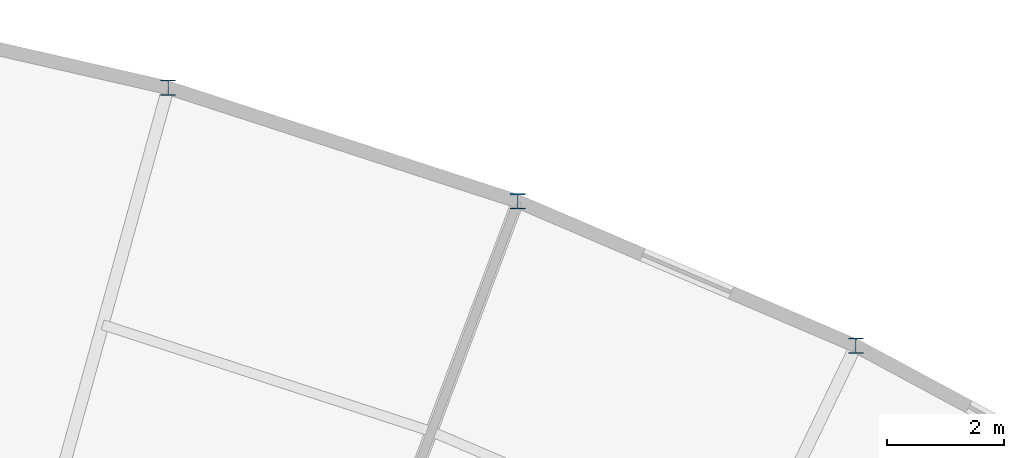
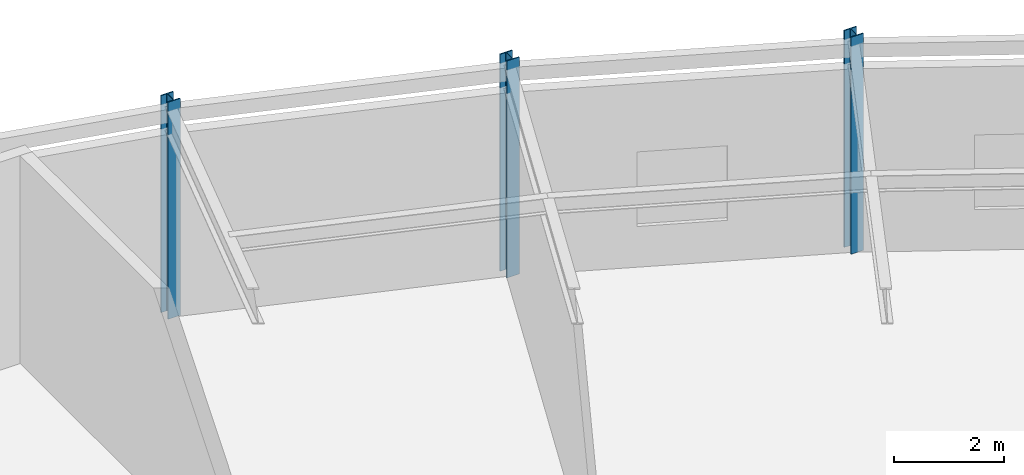
# One storey, part 13 of 105: 3 columns.
"""IFC4 building model written with IfcOpenShell, lengths in metres."""

import ifcopenshell
import ifcopenshell.guid

model = None  # the IFC model being written
_history = None  # IfcOwnerHistory: only IFC2X3 demands one
_inside = {}  # id of a spatial element -> (the spatial element, [elements in it])
_under = {}  # id of a project, library or spatial element -> (it, [spatial elements below it])
_declared = {}  # id of a project -> (the project, [libraries it declares])
_typed = {}  # id of a type object -> (the type object, [elements of that type])
_made_of = {}  # id of a material, layer set ... -> (it, [elements and type objects made of it])


def new_model(schema):
    """Start an empty IFC model of exactly this schema.

    Asked for "IFC4X3", IfcOpenShell would pick the latest addendum, in which some entities
    have other attributes; the version numbers below select the first issue.
    IFC2X3 requires an IfcOwnerHistory on every rooted entity: one is made here for all.
    """
    global model, _history
    if schema == "IFC4X3":
        model = ifcopenshell.file(schema_version=(4, 3, 0, 0))
    else:
        model = ifcopenshell.file(schema=schema)
    _inside.clear()
    _under.clear()
    _declared.clear()
    _typed.clear()
    _made_of.clear()
    _history = None
    if model.schema == "IFC2X3":
        org = make("IfcOrganization", Name="unknown")
        user = make(
            "IfcPersonAndOrganization",
            ThePerson=make("IfcPerson", FamilyName="unknown"),
            TheOrganization=org,
        )
        app = make(
            "IfcApplication",
            ApplicationDeveloper=org,
            Version="unknown",
            ApplicationFullName="unknown",
            ApplicationIdentifier="unknown",
        )
        _history = make(
            "IfcOwnerHistory",
            OwningUser=user,
            OwningApplication=app,
            ChangeAction="ADDED",
            CreationDate=0,
        )
    return model


def make(cls, **values):
    """One entity of the class cls with the attributes given. An attribute that is None is left unset."""
    return model.create_entity(
        cls, **{name: value for name, value in values.items() if value is not None}
    )


def rooted(cls, **values):
    """An entity with a GlobalId (a new one), such as an element, a storey or a relation."""
    return make(cls, GlobalId=ifcopenshell.guid.new(), OwnerHistory=_history, **values)


def si_unit(unit_type, name, prefix=None):
    """IfcSIUnit, for example si_unit("LENGTHUNIT", "METRE", prefix="MILLI")."""
    return make("IfcSIUnit", UnitType=unit_type, Prefix=prefix, Name=name)


def assignment(units):
    """IfcUnitAssignment: the units of a project."""
    return None if units is None else make("IfcUnitAssignment", Units=units)


def point(xyz):
    """IfcCartesianPoint."""
    return None if xyz is None else make("IfcCartesianPoint", Coordinates=xyz)


def direction(xyz):
    """IfcDirection."""
    return None if xyz is None else make("IfcDirection", DirectionRatios=xyz)


def frame(location, z_axis=None, x_axis=None):
    """IfcAxis2Placement3D, a coordinate frame: its origin and axes. An axis left out is left unset."""
    return make(
        "IfcAxis2Placement3D",
        Location=point(location),
        Axis=direction(z_axis),
        RefDirection=direction(x_axis),
    )


def frame_2d(location, x_axis=None):
    """IfcAxis2Placement2D, a coordinate frame in the plane: its origin and x axis."""
    return make(
        "IfcAxis2Placement2D", Location=point(location), RefDirection=direction(x_axis)
    )


def origin():
    """The frame at (0, 0, 0) with its axes left unset."""
    return frame((0.0, 0.0, 0.0))


def origin_2d():
    """The frame at (0, 0) in the plane with its x axis left unset."""
    return frame_2d((0.0, 0.0))


def place(relative_to, where):
    """IfcLocalPlacement: puts the frame where relative to a parent placement (None: the world)."""
    return make(
        "IfcLocalPlacement", PlacementRelTo=relative_to, RelativePlacement=where
    )


def context(
    kind, dimensions, precision=None, world=None, true_north=None, identifier=None
):
    """IfcGeometricRepresentationContext, for example the 3D "Model" context."""
    return make(
        "IfcGeometricRepresentationContext",
        ContextIdentifier=identifier,
        ContextType=kind,
        CoordinateSpaceDimension=dimensions,
        Precision=precision,
        WorldCoordinateSystem=world,
        TrueNorth=true_north,
    )


def subcontext(parent, identifier, kind, view, scale=None):
    """IfcGeometricRepresentationSubContext, for example "Body" below "Model"."""
    return make(
        "IfcGeometricRepresentationSubContext",
        ContextIdentifier=identifier,
        ContextType=kind,
        ParentContext=parent,
        TargetScale=scale,
        TargetView=view,
    )


def project(units=None, contexts=None):
    """IfcProject with its units and contexts."""
    return rooted(
        "IfcProject",
        Name="project",
        RepresentationContexts=contexts,
        UnitsInContext=assignment(units),
    )


def spatial(cls, under=None, at=None, **own):
    """A site, building, storey or space (cls), placed at a placement, below another one or the project."""
    s = rooted(cls, ObjectPlacement=at, **own)
    if under is not None:
        _under.setdefault(under.id(), (under, []))[1].append(s)
    return s


def profile(cls, at=None, kind="AREA", **sizes):
    """A parametric profile (cls). Its sizes go by their IFC names, for example OverallWidth=200.0."""
    return make(cls, ProfileType=kind, Position=at, **sizes)


def i_section(**sizes):
    """IfcIShapeProfileDef."""
    return profile("IfcIShapeProfileDef", **sizes)


def extrude(swept, where, along, depth):
    """IfcExtrudedAreaSolid: the profile swept, set in the frame where, extruded along a direction by depth."""
    return make(
        "IfcExtrudedAreaSolid",
        SweptArea=swept,
        Position=where,
        ExtrudedDirection=direction(along),
        Depth=depth,
    )


def shape(context_of_items, identifier, shape_type, items):
    """IfcShapeRepresentation: the items that make up one representation, for example the "Body"."""
    return make(
        "IfcShapeRepresentation",
        ContextOfItems=context_of_items,
        RepresentationIdentifier=identifier,
        RepresentationType=shape_type,
        Items=items,
    )


def material(Name=None, Category=None):
    """IfcMaterial."""
    return make("IfcMaterial", Name=Name, Category=Category)


def material_profile(
    of_material, cross_section, Name=None, Category=None, Priority=None
):
    """IfcMaterialProfile: a cross section and its material."""
    return make(
        "IfcMaterialProfile",
        Name=Name,
        Material=of_material,
        Profile=cross_section,
        Priority=Priority,
        Category=Category,
    )


def profile_set(profiles, Name=None, composite=None):
    """IfcMaterialProfileSet."""
    return make(
        "IfcMaterialProfileSet",
        Name=Name,
        MaterialProfiles=profiles,
        CompositeProfile=composite,
    )


def made_of(thing, what):
    """Note that an element or type object is made of a material, layer set ...; save() writes the relation."""
    if what is not None:
        _made_of.setdefault(what.id(), (what, []))[1].append(thing)
    return thing


def type_object(cls, material=None, **own):
    """A type object (cls), such as IfcWallType, which elements share."""
    return made_of(rooted(cls, **own), material)


def element(
    cls,
    number,
    at=None,
    inside=None,
    cuts=None,
    type_object=None,
    material=None,
    context=None,
    identifier="Body",
    shape_type=None,
    held_by="IfcProductDefinitionShape",
    body=None,
    shapes=None,
    **own,
):
    """One element of the class cls, such as IfcWall. Its Tag is "e" and its number.

    at: its placement. inside: the storey or other place that contains it. cuts: it is an
    opening in that element (IfcRelVoidsElement). A single representation is given by context,
    identifier, shape_type and body (its items); several are given by shapes. held_by: the class
    of the entity that holds the representations. save() writes the other relations.
    """
    e = rooted(cls, Tag="e%d" % number, ObjectPlacement=at, **own)
    if body is not None:
        shapes = [shape(context, identifier, shape_type, body)]
    if shapes is not None:
        e.Representation = make(held_by, Representations=shapes)
    if inside is not None:
        _inside.setdefault(inside.id(), (inside, []))[1].append(e)
    if cuts is not None:
        rooted(
            "IfcRelVoidsElement", RelatingBuildingElement=cuts, RelatedOpeningElement=e
        )
    if type_object is not None:
        _typed.setdefault(type_object.id(), (type_object, []))[1].append(e)
    return made_of(e, material)


def aggregate(whole, parts):
    """IfcRelAggregates: a whole, such as a stair, and the parts it consists of."""
    return rooted("IfcRelAggregates", RelatingObject=whole, RelatedObjects=parts)


def save(model, path):
    """Write the relations noted so far, then the file.

    IfcRelAggregates (storeys below a building ...), IfcRelContainedInSpatialStructure (elements
    in a storey), IfcRelDefinesByType, IfcRelAssociatesMaterial and IfcRelDeclares: one each for
    every whole, place, type object, material and project.
    """
    for whole, parts in _under.values():
        aggregate(whole, parts)
    for where, things in _inside.values():
        rooted(
            "IfcRelContainedInSpatialStructure",
            RelatedElements=things,
            RelatingStructure=where,
        )
    for kind, things in _typed.values():
        rooted("IfcRelDefinesByType", RelatedObjects=things, RelatingType=kind)
    for what, things in _made_of.values():
        rooted("IfcRelAssociatesMaterial", RelatedObjects=things, RelatingMaterial=what)
    for by, libraries in _declared.values():
        rooted("IfcRelDeclares", RelatingContext=by, RelatedDefinitions=libraries)
    model.write(path)


model = new_model("IFC4")

# Units and contexts
model_context = context("Model", 3, precision=1e-05, world=origin(), true_north=direction((0.0, 1.0)))
body_context = subcontext(model_context, "Body", "Model", "MODEL_VIEW")
ifc_project = project(units=[si_unit("LENGTHUNIT", "METRE"), si_unit("AREAUNIT", "SQUARE_METRE"), si_unit("VOLUMEUNIT", "CUBIC_METRE"), si_unit("PLANEANGLEUNIT", "RADIAN"), si_unit("MASSUNIT", "GRAM", prefix="KILO")], contexts=[model_context])

# Site, building, storey
site_placement = place(None, origin())
site = spatial("IfcSite", under=ifc_project, at=site_placement, CompositionType="ELEMENT")
building_placement = place(site_placement, origin())
building = spatial("IfcBuilding", under=site, at=building_placement, Name="Selat Folded Stagehouse", CompositionType="ELEMENT")
storey_placement = place(building_placement, frame((0.0, 0.0, 10.199951171875)))
storey = spatial("IfcBuildingStorey", under=building, at=storey_placement, Name="L02", CompositionType="ELEMENT", Elevation=10.199951171875)

# Columns
ifc_material = material(Name="Steel S355", Category="steel")
ifc_material_profile = material_profile(ifc_material, i_section(OverallWidth=0.2587890625, OverallDepth=0.2666015625, WebThickness=0.0126953125, FlangeThickness=0.0205078125, FilletRadius=0.0126953125, at=origin_2d()), Name="UKC 254x254x107")
ifc_profile_set = profile_set([ifc_material_profile], Name="Steel S355")
column_type = type_object("IfcColumnType", Name="COL-UKC-254x254x107", PredefinedType="COLUMN", material=ifc_profile_set)
for number, where, z_axis, x_axis, name in (
    (1, (111.022705078125, 105.477294921875, 0.0), (0.0, 0.0, 1.0), (1.0, 0.0, 0.0), "L02 column STK-V6OUT-10"),
    (2, (116.99609375, 103.536376953125, 0.0), (0.0, 0.0, 1.0), (1.0, 0.0, 0.0), "L02 column STK-V6OUT-11"),
    (3, (122.77197265625, 101.06787109375, 0.0), (0.0, 0.0, 1.0), (1.0, 0.0, 0.0), "L02 column STK-V6OUT-12"),
):
    element("IfcColumn", number, at=place(storey_placement, frame(where, z_axis=z_axis, x_axis=x_axis)), inside=storey, type_object=column_type, Name=name, PredefinedType="COLUMN", context=body_context, shape_type="SweptSolid", body=[
        extrude(i_section(OverallWidth=0.2587890625, OverallDepth=0.2666015625, WebThickness=0.0126953125, FlangeThickness=0.0205078125, FilletRadius=0.0126953125, at=origin_2d()), origin(), (0.0, 0.0, 1.0), 4.800048828125),
    ])

save(model, "model.ifc")
